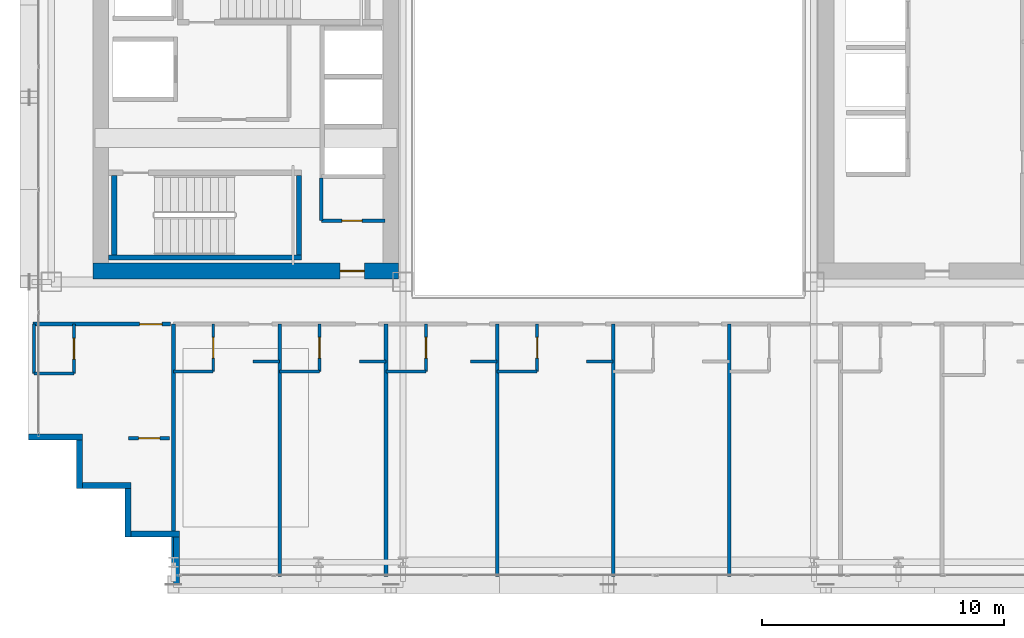
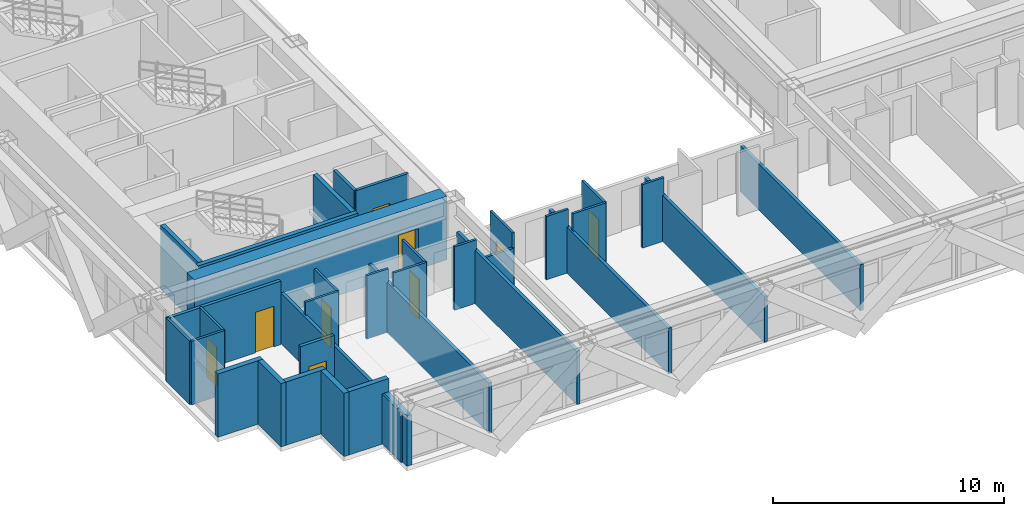
# One storey, part 27 of 35: 35 walls, 9 doors, 9 openings.
"""IFC4 building model written with IfcOpenShell, lengths in metres."""

from ifc_helpers import new_model, si_unit, direction, frame, frame_2d, origin, place, context, subcontext, project, spatial, rectangle, extrude, source, transform, mapped, material, layer, layer_set, type_object, element, fill, save


model = new_model("IFC4")

# Units and contexts
model_context = context("Model", 3, precision=1e-05, world=origin(), true_north=direction((0.0, 1.0)))
body_context = subcontext(model_context, "Body", "Model", "MODEL_VIEW")
ifc_project = project(units=[si_unit("LENGTHUNIT", "METRE"), si_unit("AREAUNIT", "SQUARE_METRE"), si_unit("VOLUMEUNIT", "CUBIC_METRE"), si_unit("PLANEANGLEUNIT", "RADIAN"), si_unit("MASSUNIT", "GRAM", prefix="KILO")], contexts=[model_context])

# Site, building, storey
site_placement = place(None, origin())
site = spatial("IfcSite", under=ifc_project, at=site_placement, CompositionType="ELEMENT")
building_placement = place(site_placement, origin())
building = spatial("IfcBuilding", under=site, at=building_placement, Name="Ocotamira Hotel", CompositionType="ELEMENT")
storey_placement = place(building_placement, frame((0.0, 0.0, 100.800048828125)))
storey = spatial("IfcBuildingStorey", under=building, at=storey_placement, Name="L24", CompositionType="ELEMENT", Elevation=100.800048828125)

# Wall, opening, door
ifc_material_1 = material(Name="Concrete C60/75", Category="concrete")
ifc_layer_1 = layer(ifc_material_1, 0.64990234375)
ifc_layer_set_1 = layer_set([ifc_layer_1], Name="Concrete C60/75")
wall_type_1 = type_object("IfcWallType", Name="WL-CORE-650", PredefinedType="SHEAR", material=ifc_layer_set_1)
wall_1_placement = place(storey_placement, frame((10.675048828125, 15.0, 0.0), z_axis=(0.0, 0.0, 1.0), x_axis=(1.0, 0.0, 0.0)))
wall_1 = element("IfcWall", 1, at=wall_1_placement, inside=storey, type_object=wall_type_1, Name="L24 Shear Core Wall WCORE-S", PredefinedType="SHEAR", context=body_context, shape_type="SweptSolid", body=[
    extrude(rectangle(XDim=12.64990234375, YDim=0.64990234375, at=frame_2d((6.324951171875, 0.0))), origin(), (0.0, 0.0, 1.0), 3.35986328125),
])
opening_1_placement = place(wall_1_placement, frame((10.22509765625, 0.0, 0.0)))
opening_1 = element("IfcOpeningElement", 2, at=opening_1_placement, cuts=wall_1, Name="Opening D-FR2", PredefinedType="OPENING", context=body_context, shape_type="SweptSolid", body=[
    extrude(rectangle(XDim=1.0, YDim=2.14990234375, at=frame_2d((0.5, 1.074951171875))), frame((0.0, 0.3349609375, 0.0), z_axis=(0.0, -1.0, 0.0), x_axis=(1.0, 0.0, 0.0)), (0.0, 0.0, 1.0), 0.669921875),
])
ifc_material_2 = material(Name="Fire-rated acoustic timber-veneer door", Category="wood")
door_type_1 = type_object("IfcDoorType", Name="DR-FIRE-1000", OperationType="NOTDEFINED", PredefinedType="DOOR", material=ifc_material_2)
shared_shape_1 = source(origin(), body_context, "Body", "SweptSolid", [
    extrude(rectangle(XDim=1.0, YDim=2.14990234375, at=frame_2d((0.5, 1.074951171875))), frame((0.0, 0.02490234375, 0.0), z_axis=(0.0, -1.0, 0.0), x_axis=(1.0, 0.0, 0.0)), (0.0, 0.0, 1.0), 0.050048828125),
])
door_1_placement = place(opening_1_placement, origin())
door_1 = element("IfcDoor", 3, at=door_1_placement, inside=storey, type_object=door_type_1, Name="L24 Door ID-L24-WLOB-S-D [ID-L24-WLOB-S-D]", OperationType="SINGLE_SWING_LEFT", OverallHeight=2.14990234375, OverallWidth=1.0, PredefinedType="DOOR", context=body_context, shape_type="MappedRepresentation", body=[
    mapped(shared_shape_1, transform((0.0, 0.0, 0.0), scale=1.0)),
])
fill(opening_1, door_1)

# Walls
ifc_material_3 = material(Name="Precast concrete C45/55", Category="concrete")
ifc_layer_2 = layer(ifc_material_3, 0.25)
ifc_layer_set_2 = layer_set([ifc_layer_2], Name="Precast concrete C45/55")
wall_type_2 = type_object("IfcWallType", Name="WL-EXT-SER-250", PredefinedType="SOLIDWALL", material=ifc_layer_set_2)
wall_2_placement = place(storey_placement, frame((8.0, 8.125, 0.0), z_axis=(0.0, 0.0, 1.0), x_axis=(1.0, 0.0, 0.0)))
element("IfcWall", 4, at=wall_2_placement, inside=storey, type_object=wall_type_2, Name="L24 Serrated Corner Wall 19", PredefinedType="SOLIDWALL", context=body_context, shape_type="SweptSolid", body=[
    extrude(rectangle(XDim=2.25, YDim=0.25, at=frame_2d((1.125, 0.0))), origin(), (0.0, 0.0, 1.0), 3.35986328125),
])
for number, where, z_axis, x_axis, name in (
    (5, (10.125, 8.0, 0.0), (0.0, 0.0, 1.0), (0.0, -1.0, 0.0), "L24 Serrated Corner Wall 20"),
    (6, (10.25, 6.125, 0.0), (0.0, 0.0, 1.0), (1.0, 0.0, 0.0), "L24 Serrated Corner Wall 21"),
    (7, (12.125, 6.0, 0.0), (0.0, 0.0, 1.0), (0.0, -1.0, 0.0), "L24 Serrated Corner Wall 22"),
    (8, (12.25, 4.125, 0.0), (0.0, 0.0, 1.0), (1.0, 0.0, 0.0), "L24 Serrated Corner Wall 23"),
):
    element("IfcWall", number, at=place(storey_placement, frame(where, z_axis=z_axis, x_axis=x_axis)), inside=storey, type_object=wall_type_2, Name=name, PredefinedType="SOLIDWALL", context=body_context, shape_type="SweptSolid", body=[
        extrude(rectangle(XDim=2.0, YDim=0.25, at=frame_2d((1.0, 0.0))), origin(), (0.0, 0.0, 1.0), 3.35986328125),
    ])
wall_3_placement = place(storey_placement, frame((14.125, 4.0, 0.0), z_axis=(0.0, 0.0, 1.0), x_axis=(0.0, -1.0, 0.0)))
element("IfcWall", 9, at=wall_3_placement, inside=storey, type_object=wall_type_2, Name="L24 Serrated Corner Wall 24", PredefinedType="SOLIDWALL", context=body_context, shape_type="SweptSolid", body=[
    extrude(rectangle(XDim=2.0, YDim=0.25, at=frame_2d((1.0, 0.0))), origin(), (0.0, 0.0, 1.0), 2.6669921875),
])

# Wall, opening, door
ifc_material_4 = material(Name="Acoustic double-layer fire gypsum board partition", Category="gypsum")
ifc_layer_3 = layer(ifc_material_4, 0.159912109375)
ifc_layer_set_3 = layer_set([ifc_layer_3], Name="Acoustic double-layer fire gypsum board partition")
wall_type_3 = type_object("IfcWallType", Name="WL-FIRE-160", PredefinedType="PARTITIONING", material=ifc_layer_set_3)
wall_4_placement = place(storey_placement, frame((8.199951171875, 12.800048828125, 0.0), z_axis=(0.0, 0.0, 1.0), x_axis=(1.0, 0.0, 0.0)))
wall_4 = element("IfcWall", 10, at=wall_4_placement, inside=storey, type_object=wall_type_3, Name="L24 Interior Wall PW-L24-Z2A-CSW-CW", PredefinedType="PARTITIONING", context=body_context, shape_type="SweptSolid", body=[
    extrude(rectangle(XDim=5.679931640625, YDim=0.159912109375, at=frame_2d((2.83984375, 0.0))), origin(), (0.0, 0.0, 1.0), 3.35986328125),
])
opening_2_placement = place(wall_4_placement, frame((4.39990234375, 0.0, 0.0)))
opening_2 = element("IfcOpeningElement", 11, at=opening_2_placement, cuts=wall_4, Name="Opening D-GR1", PredefinedType="OPENING", context=body_context, shape_type="SweptSolid", body=[
    extrude(rectangle(XDim=0.93994140625, YDim=2.14990234375, at=frame_2d((0.469970703125, 1.074951171875))), frame((0.0, 0.08984375, 0.0), z_axis=(0.0, -1.0, 0.0), x_axis=(1.0, 0.0, 0.0)), (0.0, 0.0, 1.0), 0.179931640625),
])
ifc_material_5 = material(Name="Solid-core walnut suite entrance fire door", Category="wood")
door_type_2 = type_object("IfcDoorType", Name="DR-GUEST-940", OperationType="NOTDEFINED", PredefinedType="DOOR", material=ifc_material_5)
shared_shape_2 = source(origin(), body_context, "Body", "SweptSolid", [
    extrude(rectangle(XDim=0.93994140625, YDim=2.14990234375, at=frame_2d((0.469970703125, 1.074951171875))), frame((0.0, 0.02490234375, 0.0), z_axis=(0.0, -1.0, 0.0), x_axis=(1.0, 0.0, 0.0)), (0.0, 0.0, 1.0), 0.050048828125),
])
door_2_placement = place(opening_2_placement, origin())
door_2 = element("IfcDoor", 12, at=door_2_placement, inside=storey, type_object=door_type_2, Name="L24 Door ID-L24-Z2A-CSW-CD [ID-L24-Z2A-CSW-CD]", OperationType="SINGLE_SWING_RIGHT", OverallHeight=2.14990234375, OverallWidth=0.93994140625, PredefinedType="DOOR", context=body_context, shape_type="MappedRepresentation", body=[
    mapped(shared_shape_2, transform((0.0, 0.0, 0.0), scale=1.0)),
])
fill(opening_2, door_2)

wall_5_placement = place(storey_placement, frame((12.14990234375, 8.080078125, 0.0), z_axis=(0.0, 0.0, 1.0), x_axis=(1.0, 0.0, 0.0)))
wall_5 = element("IfcWall", 13, at=wall_5_placement, inside=storey, type_object=wall_type_3, Name="L24 Interior Wall PW-L24-Z2A-CSW2-CW", PredefinedType="PARTITIONING", context=body_context, shape_type="SweptSolid", body=[
    extrude(rectangle(XDim=1.7001953125, YDim=0.159912109375, at=frame_2d((0.85009765625, 0.0))), origin(), (0.0, 0.0, 1.0), 3.35986328125),
])
opening_3_placement = place(wall_5_placement, frame((0.409912109375, 0.0, 0.0)))
opening_3 = element("IfcOpeningElement", 14, at=opening_3_placement, cuts=wall_5, Name="Opening D-SV2", PredefinedType="OPENING", context=body_context, shape_type="SweptSolid", body=[
    extrude(rectangle(XDim=0.8798828125, YDim=2.14990234375, at=frame_2d((0.43994140625, 1.074951171875))), frame((0.0, 0.08984375, 0.0), z_axis=(0.0, -1.0, 0.0), x_axis=(1.0, 0.0, 0.0)), (0.0, 0.0, 1.0), 0.179931640625),
])
ifc_material_6 = material(Name="Fire-rated painted steel service door", Category="steel")
door_type_3 = type_object("IfcDoorType", Name="DR-SERV-880", OperationType="NOTDEFINED", PredefinedType="DOOR", material=ifc_material_6)
shared_shape_3 = source(origin(), body_context, "Body", "SweptSolid", [
    extrude(rectangle(XDim=0.8798828125, YDim=2.14990234375, at=frame_2d((0.43994140625, 1.074951171875))), frame((0.0, 0.02490234375, 0.0), z_axis=(0.0, -1.0, 0.0), x_axis=(1.0, 0.0, 0.0)), (0.0, 0.0, 1.0), 0.050048828125),
])
door_3_placement = place(opening_3_placement, origin())
door_3 = element("IfcDoor", 15, at=door_3_placement, inside=storey, type_object=door_type_3, Name="L24 Door ID-L24-Z2A-CSW2-CD [ID-L24-Z2A-CSW2-CD]", OperationType="SINGLE_SWING_LEFT", OverallHeight=2.14990234375, OverallWidth=0.8798828125, PredefinedType="DOOR", context=body_context, shape_type="MappedRepresentation", body=[
    mapped(shared_shape_3, transform((0.0, 0.0, 0.0), scale=1.0)),
])
fill(opening_3, door_3)

ifc_material_7 = material(Name="Moisture-resistant en-suite tile and gypsum partition", Category="gypsum")
ifc_layer_4 = layer(ifc_material_7, 0.1201171875)
ifc_layer_set_4 = layer_set([ifc_layer_4], Name="Moisture-resistant en-suite tile and gypsum partition")
wall_type_4 = type_object("IfcWallType", Name="WL-PART-120", PredefinedType="PARTITIONING", material=ifc_layer_set_4)
wall_6_placement = place(storey_placement, frame((9.889892578125, 10.760009765625, 0.0), z_axis=(0.0, 0.0, 1.0), x_axis=(0.0, 1.0, 0.0)))
wall_6 = element("IfcWall", 16, at=wall_6_placement, inside=storey, type_object=wall_type_4, Name="L24 Interior Wall PW-L24-Z2A-CSW-BE", PredefinedType="PARTITIONING", context=body_context, shape_type="SweptSolid", body=[
    extrude(rectangle(XDim=2.0400390625, YDim=0.1201171875, at=frame_2d((1.02001953125, 0.0))), origin(), (0.0, 0.0, 1.0), 3.35986328125),
])
opening_4_placement = place(wall_6_placement, frame((0.590087890625, 0.0, 0.0)))
opening_4 = element("IfcOpeningElement", 17, at=opening_4_placement, cuts=wall_6, Name="Opening D-BA1", PredefinedType="OPENING", context=body_context, shape_type="SweptSolid", body=[
    extrude(rectangle(XDim=0.860107421875, YDim=2.10009765625, at=frame_2d((0.43017578125, 1.050048828125))), frame((0.0, 0.070068359375, 0.0), z_axis=(0.0, -1.0, 0.0), x_axis=(1.0, 0.0, 0.0)), (0.0, 0.0, 1.0), 0.14013671875),
])
ifc_material_8 = material(Name="Moisture-sealed en-suite timber door", Category="wood")
door_type_4 = type_object("IfcDoorType", Name="DR-BATH-860", OperationType="NOTDEFINED", PredefinedType="DOOR", material=ifc_material_8)
shared_shape_4 = source(origin(), body_context, "Body", "SweptSolid", [
    extrude(rectangle(XDim=0.860107421875, YDim=2.10009765625, at=frame_2d((0.43017578125, 1.050048828125))), frame((0.0, 0.02490234375, 0.0), z_axis=(0.0, -1.0, 0.0), x_axis=(1.0, 0.0, 0.0)), (0.0, 0.0, 1.0), 0.050048828125),
])
door_4_placement = place(opening_4_placement, origin())
door_4 = element("IfcDoor", 18, at=door_4_placement, inside=storey, type_object=door_type_4, Name="L24 Door ID-L24-Z2A-CSW-BD [ID-L24-Z2A-CSW-BD]", OperationType="SINGLE_SWING_LEFT", OverallHeight=2.10009765625, OverallWidth=0.860107421875, PredefinedType="DOOR", context=body_context, shape_type="MappedRepresentation", body=[
    mapped(shared_shape_4, transform((0.0, 0.0, 0.0), scale=1.0)),
])
fill(opening_4, door_4)

# Walls
wall_7_placement = place(storey_placement, frame((8.239990234375, 10.760009765625, 0.0), z_axis=(0.0, 0.0, 1.0), x_axis=(0.0, 1.0, 0.0)))
element("IfcWall", 19, at=wall_7_placement, inside=storey, type_object=wall_type_4, Name="L24 Interior Wall PW-L24-Z2A-CSW-BW", PredefinedType="PARTITIONING", context=body_context, shape_type="SweptSolid", body=[
    extrude(rectangle(XDim=2.0400390625, YDim=0.1201171875, at=frame_2d((1.02001953125, 0.0))), origin(), (0.0, 0.0, 1.0), 3.35986328125),
])
wall_8_placement = place(storey_placement, frame((8.239990234375, 10.760009765625, 0.0), z_axis=(0.0, 0.0, 1.0), x_axis=(1.0, 0.0, 0.0)))
element("IfcWall", 20, at=wall_8_placement, inside=storey, type_object=wall_type_4, Name="L24 Interior Wall PW-L24-Z2A-CSW-BH", PredefinedType="PARTITIONING", context=body_context, shape_type="SweptSolid", body=[
    extrude(rectangle(XDim=1.64990234375, YDim=0.1201171875, at=frame_2d((0.824951171875, 0.0))), origin(), (0.0, 0.0, 1.0), 3.35986328125),
])

# Wall, opening, door
wall_9_placement = place(storey_placement, frame((15.64990234375, 10.85009765625, 0.0), z_axis=(0.0, 0.0, 1.0), x_axis=(0.0, 1.0, 0.0)))
wall_9 = element("IfcWall", 21, at=wall_9_placement, inside=storey, type_object=wall_type_4, Name="L24 Interior Wall PW-L24-Z2AS-BAE1", PredefinedType="PARTITIONING", context=body_context, shape_type="SweptSolid", body=[
    extrude(rectangle(XDim=1.949951171875, YDim=0.1201171875, at=frame_2d((0.97509765625, 0.0))), origin(), (0.0, 0.0, 1.0), 3.35986328125),
])
opening_5_placement = place(wall_9_placement, frame((0.544921875, 0.0, 0.0)))
opening_5 = element("IfcOpeningElement", 22, at=opening_5_placement, cuts=wall_9, Name="Opening D-BA1", PredefinedType="OPENING", context=body_context, shape_type="SweptSolid", body=[
    extrude(rectangle(XDim=0.860107421875, YDim=2.10009765625, at=frame_2d((0.43017578125, 1.050048828125))), frame((0.0, 0.070068359375, 0.0), z_axis=(0.0, -1.0, 0.0), x_axis=(1.0, 0.0, 0.0)), (0.0, 0.0, 1.0), 0.14013671875),
])
door_5_placement = place(opening_5_placement, origin())
door_5 = element("IfcDoor", 23, at=door_5_placement, inside=storey, type_object=door_type_4, Name="L24 Door ID-L24-Z2AS-BAD1 [ID-L24-Z2AS-BAD1]", OperationType="SINGLE_SWING_RIGHT", OverallHeight=2.10009765625, OverallWidth=0.860107421875, PredefinedType="DOOR", context=body_context, shape_type="MappedRepresentation", body=[
    mapped(shared_shape_4, transform((0.0, 0.0, 0.0), scale=1.0)),
])
fill(opening_5, door_5)

# Walls
wall_10_placement = place(storey_placement, frame((14.0, 10.85009765625, 0.0), z_axis=(0.0, 0.0, 1.0), x_axis=(1.0, 0.0, 0.0)))
element("IfcWall", 24, at=wall_10_placement, inside=storey, type_object=wall_type_4, Name="L24 Interior Wall PW-L24-Z2AS-BAS1", PredefinedType="PARTITIONING", context=body_context, shape_type="SweptSolid", body=[
    extrude(rectangle(XDim=1.64990234375, YDim=0.1201171875, at=frame_2d((0.824951171875, 0.0))), origin(), (0.0, 0.0, 1.0), 3.35986328125),
])
wall_11_placement = place(storey_placement, frame((17.300048828125, 11.25, 0.0), z_axis=(0.0, 0.0, 1.0), x_axis=(1.0, 0.0, 0.0)))
element("IfcWall", 25, at=wall_11_placement, inside=storey, type_object=wall_type_4, Name="L24 Interior Wall PW-L24-Z2AS-DRN1", PredefinedType="PARTITIONING", context=body_context, shape_type="SweptSolid", body=[
    extrude(rectangle(XDim=1.099853515625, YDim=0.1201171875, at=frame_2d((0.5498046875, 0.0))), origin(), (0.0, 0.0, 1.0), 3.35986328125),
])

# Wall, opening, door
wall_12_placement = place(storey_placement, frame((20.050048828125, 10.85009765625, 0.0), z_axis=(0.0, 0.0, 1.0), x_axis=(0.0, 1.0, 0.0)))
wall_12 = element("IfcWall", 26, at=wall_12_placement, inside=storey, type_object=wall_type_4, Name="L24 Interior Wall PW-L24-Z2AS-BAE2", PredefinedType="PARTITIONING", context=body_context, shape_type="SweptSolid", body=[
    extrude(rectangle(XDim=1.949951171875, YDim=0.1201171875, at=frame_2d((0.97509765625, 0.0))), origin(), (0.0, 0.0, 1.0), 3.35986328125),
])
opening_6_placement = place(wall_12_placement, frame((0.544921875, 0.0, 0.0)))
opening_6 = element("IfcOpeningElement", 27, at=opening_6_placement, cuts=wall_12, Name="Opening D-BA1", PredefinedType="OPENING", context=body_context, shape_type="SweptSolid", body=[
    extrude(rectangle(XDim=0.860107421875, YDim=2.10009765625, at=frame_2d((0.43017578125, 1.050048828125))), frame((0.0, 0.070068359375, 0.0), z_axis=(0.0, -1.0, 0.0), x_axis=(1.0, 0.0, 0.0)), (0.0, 0.0, 1.0), 0.14013671875),
])
door_6_placement = place(opening_6_placement, origin())
door_6 = element("IfcDoor", 28, at=door_6_placement, inside=storey, type_object=door_type_4, Name="L24 Door ID-L24-Z2AS-BAD2 [ID-L24-Z2AS-BAD2]", OperationType="SINGLE_SWING_LEFT", OverallHeight=2.10009765625, OverallWidth=0.860107421875, PredefinedType="DOOR", context=body_context, shape_type="MappedRepresentation", body=[
    mapped(shared_shape_4, transform((0.0, 0.0, 0.0), scale=1.0)),
])
fill(opening_6, door_6)

# Walls
wall_13_placement = place(storey_placement, frame((18.39990234375, 10.85009765625, 0.0), z_axis=(0.0, 0.0, 1.0), x_axis=(1.0, 0.0, 0.0)))
element("IfcWall", 29, at=wall_13_placement, inside=storey, type_object=wall_type_4, Name="L24 Interior Wall PW-L24-Z2AS-BAS2", PredefinedType="PARTITIONING", context=body_context, shape_type="SweptSolid", body=[
    extrude(rectangle(XDim=1.650146484375, YDim=0.1201171875, at=frame_2d((0.8251953125, 0.0))), origin(), (0.0, 0.0, 1.0), 3.35986328125),
])
wall_14_placement = place(storey_placement, frame((21.699951171875, 11.25, 0.0), z_axis=(0.0, 0.0, 1.0), x_axis=(1.0, 0.0, 0.0)))
element("IfcWall", 30, at=wall_14_placement, inside=storey, type_object=wall_type_4, Name="L24 Interior Wall PW-L24-Z2AS-DRN2", PredefinedType="PARTITIONING", context=body_context, shape_type="SweptSolid", body=[
    extrude(rectangle(XDim=1.10009765625, YDim=0.1201171875, at=frame_2d((0.550048828125, 0.0))), origin(), (0.0, 0.0, 1.0), 3.35986328125),
])

# Wall, opening, door
wall_15_placement = place(storey_placement, frame((24.449951171875, 10.85009765625, 0.0), z_axis=(0.0, 0.0, 1.0), x_axis=(0.0, 1.0, 0.0)))
wall_15 = element("IfcWall", 31, at=wall_15_placement, inside=storey, type_object=wall_type_4, Name="L24 Interior Wall PW-L24-Z2AS-BAE3", PredefinedType="PARTITIONING", context=body_context, shape_type="SweptSolid", body=[
    extrude(rectangle(XDim=1.949951171875, YDim=0.1201171875, at=frame_2d((0.97509765625, 0.0))), origin(), (0.0, 0.0, 1.0), 3.35986328125),
])
opening_7_placement = place(wall_15_placement, frame((0.544921875, 0.0, 0.0)))
opening_7 = element("IfcOpeningElement", 32, at=opening_7_placement, cuts=wall_15, Name="Opening D-BA1", PredefinedType="OPENING", context=body_context, shape_type="SweptSolid", body=[
    extrude(rectangle(XDim=0.860107421875, YDim=2.10009765625, at=frame_2d((0.43017578125, 1.050048828125))), frame((0.0, 0.070068359375, 0.0), z_axis=(0.0, -1.0, 0.0), x_axis=(1.0, 0.0, 0.0)), (0.0, 0.0, 1.0), 0.14013671875),
])
door_7_placement = place(opening_7_placement, origin())
door_7 = element("IfcDoor", 33, at=door_7_placement, inside=storey, type_object=door_type_4, Name="L24 Door ID-L24-Z2AS-BAD3 [ID-L24-Z2AS-BAD3]", OperationType="SINGLE_SWING_RIGHT", OverallHeight=2.10009765625, OverallWidth=0.860107421875, PredefinedType="DOOR", context=body_context, shape_type="MappedRepresentation", body=[
    mapped(shared_shape_4, transform((0.0, 0.0, 0.0), scale=1.0)),
])
fill(opening_7, door_7)

# Walls
wall_16_placement = place(storey_placement, frame((22.800048828125, 10.85009765625, 0.0), z_axis=(0.0, 0.0, 1.0), x_axis=(1.0, 0.0, 0.0)))
element("IfcWall", 34, at=wall_16_placement, inside=storey, type_object=wall_type_4, Name="L24 Interior Wall PW-L24-Z2AS-BAS3", PredefinedType="PARTITIONING", context=body_context, shape_type="SweptSolid", body=[
    extrude(rectangle(XDim=1.64990234375, YDim=0.1201171875, at=frame_2d((0.824951171875, 0.0))), origin(), (0.0, 0.0, 1.0), 2.5810546875),
])
wall_17_placement = place(storey_placement, frame((26.300048828125, 11.25, 0.0), z_axis=(0.0, 0.0, 1.0), x_axis=(1.0, 0.0, 0.0)))
element("IfcWall", 35, at=wall_17_placement, inside=storey, type_object=wall_type_4, Name="L24 Interior Wall PW-L24-Z2AS-DRN3", PredefinedType="PARTITIONING", context=body_context, shape_type="SweptSolid", body=[
    extrude(rectangle(XDim=1.099853515625, YDim=0.1201171875, at=frame_2d((0.5498046875, 0.0))), origin(), (0.0, 0.0, 1.0), 3.35986328125),
])

# Wall, opening, door
wall_18_placement = place(storey_placement, frame((29.050048828125, 10.85009765625, 0.0), z_axis=(0.0, 0.0, 1.0), x_axis=(0.0, 1.0, 0.0)))
wall_18 = element("IfcWall", 36, at=wall_18_placement, inside=storey, type_object=wall_type_4, Name="L24 Interior Wall PW-L24-Z2AS-BAE4", PredefinedType="PARTITIONING", context=body_context, shape_type="SweptSolid", body=[
    extrude(rectangle(XDim=1.949951171875, YDim=0.1201171875, at=frame_2d((0.97509765625, 0.0))), origin(), (0.0, 0.0, 1.0), 3.35986328125),
])
opening_8_placement = place(wall_18_placement, frame((0.544921875, 0.0, 0.0)))
opening_8 = element("IfcOpeningElement", 37, at=opening_8_placement, cuts=wall_18, Name="Opening D-BA1", PredefinedType="OPENING", context=body_context, shape_type="SweptSolid", body=[
    extrude(rectangle(XDim=0.860107421875, YDim=2.10009765625, at=frame_2d((0.43017578125, 1.050048828125))), frame((0.0, 0.070068359375, 0.0), z_axis=(0.0, -1.0, 0.0), x_axis=(1.0, 0.0, 0.0)), (0.0, 0.0, 1.0), 0.14013671875),
])
door_8_placement = place(opening_8_placement, origin())
door_8 = element("IfcDoor", 38, at=door_8_placement, inside=storey, type_object=door_type_4, Name="L24 Door ID-L24-Z2AS-BAD4 [ID-L24-Z2AS-BAD4]", OperationType="SINGLE_SWING_LEFT", OverallHeight=2.10009765625, OverallWidth=0.860107421875, PredefinedType="DOOR", context=body_context, shape_type="MappedRepresentation", body=[
    mapped(shared_shape_4, transform((0.0, 0.0, 0.0), scale=1.0)),
])
fill(opening_8, door_8)

# Walls
wall_19_placement = place(storey_placement, frame((27.39990234375, 10.85009765625, 0.0), z_axis=(0.0, 0.0, 1.0), x_axis=(1.0, 0.0, 0.0)))
element("IfcWall", 39, at=wall_19_placement, inside=storey, type_object=wall_type_4, Name="L24 Interior Wall PW-L24-Z2AS-BAS4", PredefinedType="PARTITIONING", context=body_context, shape_type="SweptSolid", body=[
    extrude(rectangle(XDim=1.650146484375, YDim=0.1201171875, at=frame_2d((0.8251953125, 0.0))), origin(), (0.0, 0.0, 1.0), 3.35986328125),
])
wall_20_placement = place(storey_placement, frame((31.10009765625, 11.25, 0.0), z_axis=(0.0, 0.0, 1.0), x_axis=(1.0, 0.0, 0.0)))
element("IfcWall", 40, at=wall_20_placement, inside=storey, type_object=wall_type_4, Name="L24 Interior Wall PW-L24-Z2AS-DRN4", PredefinedType="PARTITIONING", context=body_context, shape_type="SweptSolid", body=[
    extrude(rectangle(XDim=1.099853515625, YDim=0.1201171875, at=frame_2d((0.5498046875, 0.0))), origin(), (0.0, 0.0, 1.0), 3.35986328125),
])
ifc_material_9 = material(Name="Acoustic hospitality gypsum board partition", Category="gypsum")
ifc_layer_5 = layer(ifc_material_9, 0.14208984375)
ifc_layer_set_5 = layer_set([ifc_layer_5], Name="Acoustic hospitality gypsum board partition")
wall_type_5 = type_object("IfcWallType", Name="WL-PART-142", PredefinedType="PARTITIONING", material=ifc_layer_set_5)
wall_21_placement = place(storey_placement, frame((20.1201171875, 17.080078125, 0.0), z_axis=(0.0, 0.0, 1.0), x_axis=(0.0, 1.0, 0.0)))
element("IfcWall", 41, at=wall_21_placement, inside=storey, type_object=wall_type_5, Name="L24 Interior Wall PW-L24-WC-SE-W2", PredefinedType="PARTITIONING", context=body_context, shape_type="SweptSolid", body=[
    extrude(rectangle(XDim=1.760009765625, YDim=0.14208984375, at=frame_2d((0.8798828125, 0.0))), origin(), (0.0, 0.0, 1.0), 3.35986328125),
])

# Wall, opening, door
wall_22_placement = place(storey_placement, frame((20.1201171875, 17.080078125, 0.0), z_axis=(0.0, 0.0, 1.0), x_axis=(1.0, 0.0, 0.0)))
wall_22 = element("IfcWall", 42, at=wall_22_placement, inside=storey, type_object=wall_type_5, Name="L24 Interior Wall PW-L24-WC-SE-S2", PredefinedType="PARTITIONING", context=body_context, shape_type="SweptSolid", body=[
    extrude(rectangle(XDim=2.6298828125, YDim=0.14208984375, at=frame_2d((1.31494140625, 0.0))), origin(), (0.0, 0.0, 1.0), 3.35986328125),
])
opening_9_placement = place(wall_22_placement, frame((0.85009765625, 0.0, 0.0)))
opening_9 = element("IfcOpeningElement", 43, at=opening_9_placement, cuts=wall_22, Name="Opening D-SV1", PredefinedType="OPENING", context=body_context, shape_type="SweptSolid", body=[
    extrude(rectangle(XDim=0.840087890625, YDim=2.10009765625, at=frame_2d((0.419921875, 1.050048828125))), frame((0.0, 0.0810546875, 0.0), z_axis=(0.0, -1.0, 0.0), x_axis=(1.0, 0.0, 0.0)), (0.0, 0.0, 1.0), 0.162109375),
])
door_type_5 = type_object("IfcDoorType", Name="DR-SERV-840", OperationType="NOTDEFINED", PredefinedType="DOOR", material=ifc_material_6)
shared_shape_5 = source(origin(), body_context, "Body", "SweptSolid", [
    extrude(rectangle(XDim=0.840087890625, YDim=2.10009765625, at=frame_2d((0.419921875, 1.050048828125))), frame((0.0, 0.02490234375, 0.0), z_axis=(0.0, -1.0, 0.0), x_axis=(1.0, 0.0, 0.0)), (0.0, 0.0, 1.0), 0.050048828125),
])
door_9_placement = place(opening_9_placement, origin())
door_9 = element("IfcDoor", 44, at=door_9_placement, inside=storey, type_object=door_type_5, Name="L24 Door ID-L24-WC-SE-D2 [ID-L24-WC-SE-D2]", OperationType="SINGLE_SWING_LEFT", OverallHeight=2.10009765625, OverallWidth=0.840087890625, PredefinedType="DOOR", context=body_context, shape_type="MappedRepresentation", body=[
    mapped(shared_shape_5, transform((0.0, 0.0, 0.0), scale=1.0)),
])
fill(opening_9, door_9)

# Walls
ifc_material_10 = material(Name="Acoustic double-stud hospitality gypsum partition", Category="gypsum")
ifc_layer_6 = layer(ifc_material_10, 0.159912109375)
ifc_layer_set_6 = layer_set([ifc_layer_6], Name="Acoustic double-stud hospitality gypsum partition")
wall_type_6 = type_object("IfcWallType", Name="WL-PART-160", PredefinedType="PARTITIONING", material=ifc_layer_set_6)
for number, where, z_axis, x_axis, name in (
    (45, (14.0, 2.360107421875, 0.0), (0.0, 0.0, 1.0), (0.0, 1.0, 0.0), "L24 Interior Wall PW-L24-Z2AS-PW0"),
    (46, (18.39990234375, 2.360107421875, 0.0), (0.0, 0.0, 1.0), (0.0, 1.0, 0.0), "L24 Interior Wall PW-L24-Z2AS-PW1"),
):
    element("IfcWall", number, at=place(storey_placement, frame(where, z_axis=z_axis, x_axis=x_axis)), inside=storey, type_object=wall_type_6, Name=name, PredefinedType="PARTITIONING", context=body_context, shape_type="SweptSolid", body=[
        extrude(rectangle(XDim=10.43994140625, YDim=0.159912109375, at=frame_2d((5.219970703125, 0.0))), origin(), (0.0, 0.0, 1.0), 2.6669921875),
    ])
wall_23_placement = place(storey_placement, frame((22.800048828125, 2.360107421875, 0.0), z_axis=(0.0, 0.0, 1.0), x_axis=(0.0, 1.0, 0.0)))
element("IfcWall", 47, at=wall_23_placement, inside=storey, type_object=wall_type_6, Name="L24 Interior Wall PW-L24-Z2AS-PW2", PredefinedType="PARTITIONING", context=body_context, shape_type="SweptSolid", body=[
    extrude(rectangle(XDim=10.43994140625, YDim=0.159912109375, at=frame_2d((5.219970703125, 0.0))), origin(), (0.0, 0.0, 1.0), 2.822998046875),
])
for number, where, z_axis, x_axis, name in (
    (48, (27.39990234375, 2.360107421875, 0.0), (0.0, 0.0, 1.0), (0.0, 1.0, 0.0), "L24 Interior Wall PW-L24-Z2AS-PW3"),
    (49, (32.199951171875, 2.360107421875, 0.0), (0.0, 0.0, 1.0), (0.0, 1.0, 0.0), "L24 Interior Wall PW-L24-Z2AS-PW4"),
    (50, (37.0, 2.360107421875, 0.0), (0.0, 0.0, 1.0), (0.0, 1.0, 0.0), "L24 Interior Wall PW-L24-Z2AS-PW5"),
):
    element("IfcWall", number, at=place(storey_placement, frame(where, z_axis=z_axis, x_axis=x_axis)), inside=storey, type_object=wall_type_6, Name=name, PredefinedType="PARTITIONING", context=body_context, shape_type="SweptSolid", body=[
        extrude(rectangle(XDim=10.43994140625, YDim=0.159912109375, at=frame_2d((5.219970703125, 0.0))), origin(), (0.0, 0.0, 1.0), 2.432861328125),
    ])
ifc_material_11 = material(Name="Concrete C50/60", Category="concrete")
ifc_layer_7 = layer(ifc_material_11, 0.219970703125)
ifc_layer_set_7 = layer_set([ifc_layer_7], Name="Concrete C50/60")
wall_type_7 = type_object("IfcWallType", Name="WL-STAIR-220", PredefinedType="SHEAR", material=ifc_layer_set_7)
wall_24_placement = place(storey_placement, frame((11.324951171875, 15.56005859375, 0.0), z_axis=(0.0, 0.0, 1.0), x_axis=(1.0, 0.0, 0.0)))
element("IfcWall", 51, at=wall_24_placement, inside=storey, type_object=wall_type_7, Name="L24 Stair Shaft Structural Wall ST-1-S", PredefinedType="SHEAR", context=body_context, shape_type="SweptSolid", body=[
    extrude(rectangle(XDim=7.985107421875, YDim=0.219970703125, at=frame_2d((3.99267578125, 0.0))), origin(), (0.0, 0.0, 1.0), 3.39990234375),
])
for number, where, z_axis, x_axis, name in (
    (52, (11.56005859375, 15.669921875, 0.0), (0.0, 0.0, 1.0), (0.0, 1.0, 0.0), "L24 Stair Shaft Structural Wall ST-1-W"),
    (53, (19.199951171875, 15.669921875, 0.0), (0.0, 0.0, 1.0), (0.0, 1.0, 0.0), "L24 Stair Shaft Structural Wall ST-1-E"),
):
    element("IfcWall", number, at=place(storey_placement, frame(where, z_axis=z_axis, x_axis=x_axis)), inside=storey, type_object=wall_type_7, Name=name, PredefinedType="SHEAR", context=body_context, shape_type="SweptSolid", body=[
        extrude(rectangle(XDim=3.280029296875, YDim=0.219970703125, at=frame_2d((1.64013671875, 0.0))), origin(), (0.0, 0.0, 1.0), 3.39990234375),
    ])

save(model, "model.ifc")
